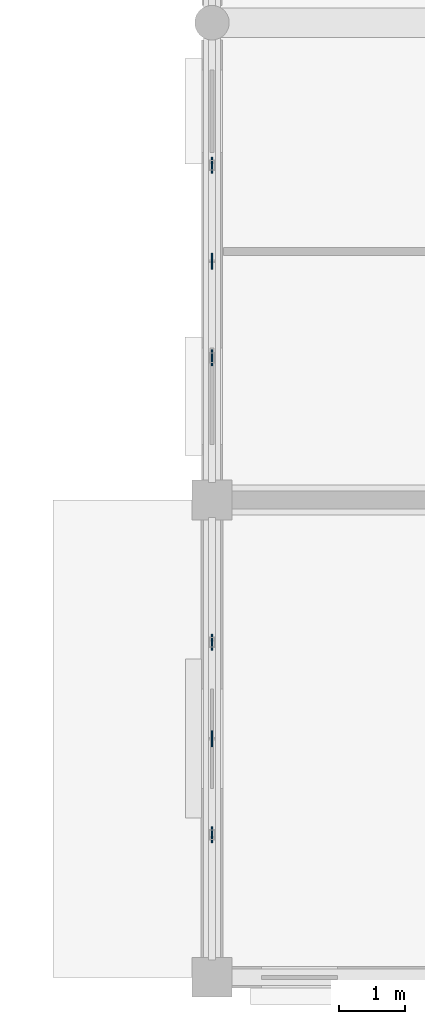
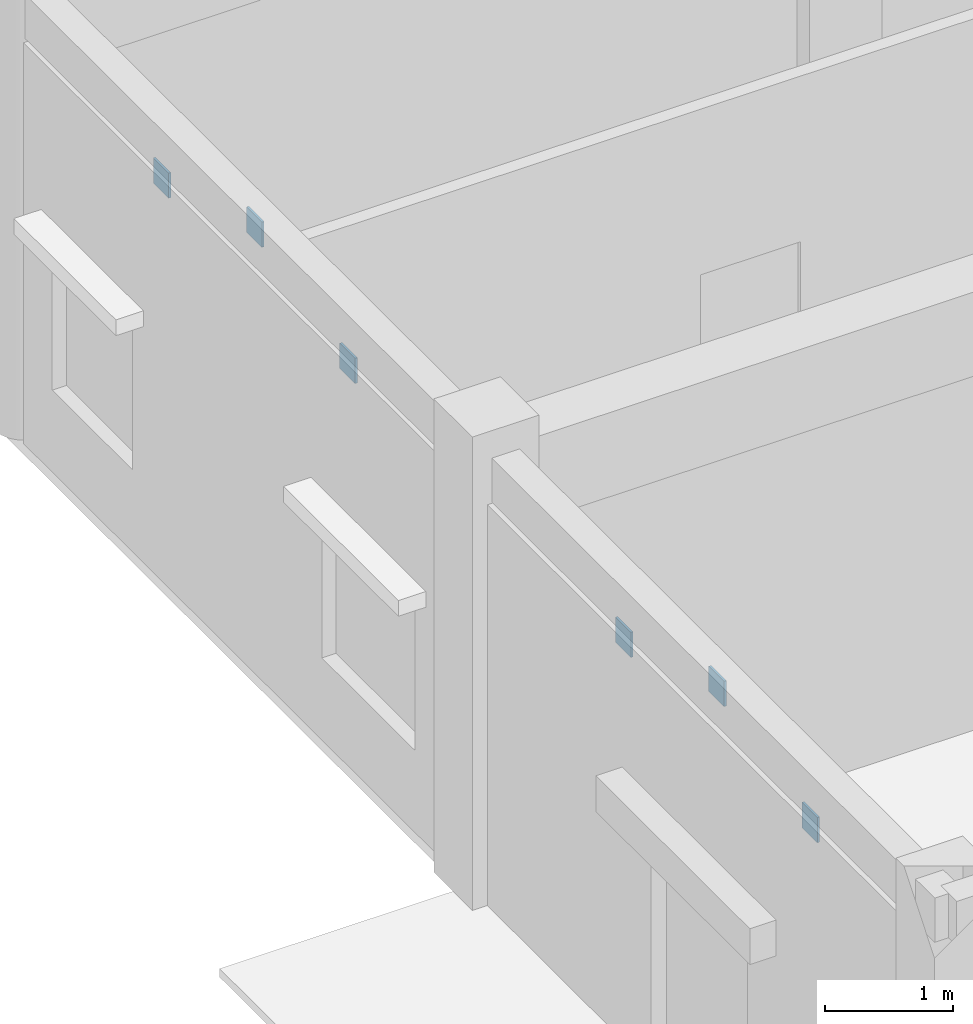
# One storey, part 83 of 138: 6 plates.
"""IFC4 building model written with IfcOpenShell, lengths in metres."""

from ifc_helpers import new_model, si_unit, direction, frame, origin, origin_2d, place, context, subcontext, project, spatial, rectangle, extrude, material, layer, layer_set, type_object, element, save


model = new_model("IFC4")

# Units and contexts
model_context = context("Model", 3, precision=1e-05, world=origin(), true_north=direction((0.0, 1.0)))
body_context = subcontext(model_context, "Body", "Model", "MODEL_VIEW")
ifc_project = project(units=[si_unit("LENGTHUNIT", "METRE"), si_unit("AREAUNIT", "SQUARE_METRE"), si_unit("VOLUMEUNIT", "CUBIC_METRE"), si_unit("PLANEANGLEUNIT", "RADIAN"), si_unit("MASSUNIT", "GRAM", prefix="KILO"), si_unit("THERMODYNAMICTEMPERATUREUNIT", "KELVIN"), si_unit("POWERUNIT", "WATT")], contexts=[model_context])

# Site, building, storey
site_placement = place(None, origin())
site = spatial("IfcSite", under=ifc_project, at=site_placement, CompositionType="ELEMENT")
building_placement = place(site_placement, origin())
building = spatial("IfcBuilding", under=site, at=building_placement, Name="Tavuni Mirador Residences", CompositionType="ELEMENT")
storey_placement = place(building_placement, origin())
storey = spatial("IfcBuildingStorey", under=building, at=storey_placement, Name="L00", CompositionType="ELEMENT", Elevation=0.0)

# Plates
ifc_material = material(Name="Structural steel S355", Category="steel")
ifc_layer = layer(ifc_material, 0.01806640625, Name="Structural steel S355", Category="steel")
ifc_layer_set = layer_set([ifc_layer], Name="Structural steel S355")
plate_type = type_object("IfcPlateType", Name="PLT-GP05", PredefinedType="USERDEFINED", material=ifc_layer_set)
for number, where, z_axis, x_axis, name in (
    (1, (90.0, 88.548095703125, 3.49560546875), (0.0, 0.0, 1.0), (1.0, 0.0, 0.0), "ARCH-BLKD-W-00-GQ1"),
    (2, (90.0, 90.0, 3.91015625), (0.0, 0.0, 1.0), (1.0, 0.0, 0.0), "ARCH-BLKD-W-00-GCR"),
    (3, (90.0, 91.451904296875, 3.49560546875), (0.0, 0.0, 1.0), (1.0, 0.0, 0.0), "ARCH-BLKD-W-00-GQ2"),
    (4, (90.0, 95.748046875, 3.49560546875), (0.0, 0.0, 1.0), (1.0, 0.0, 0.0), "ARCH-BLKD-W-01-GQ1"),
    (5, (90.0, 97.199951171875, 3.91015625), (0.0, 0.0, 1.0), (1.0, 0.0, 0.0), "ARCH-BLKD-W-01-GCR"),
    (6, (90.0, 98.652099609375, 3.49560546875), (0.0, 0.0, 1.0), (1.0, 0.0, 0.0), "ARCH-BLKD-W-01-GQ2"),
):
    element("IfcPlate", number, at=place(storey_placement, frame(where, z_axis=z_axis, x_axis=x_axis)), inside=storey, type_object=plate_type, Name=name, ObjectType="GUSSET PLATE", PredefinedType="USERDEFINED", context=body_context, shape_type="SweptSolid", body=[
        extrude(rectangle(XDim=0.02001953125, YDim=0.239990234375, at=origin_2d()), origin(), (0.0, 0.0, 1.0), 0.239990234375),
    ])

save(model, "model.ifc")
